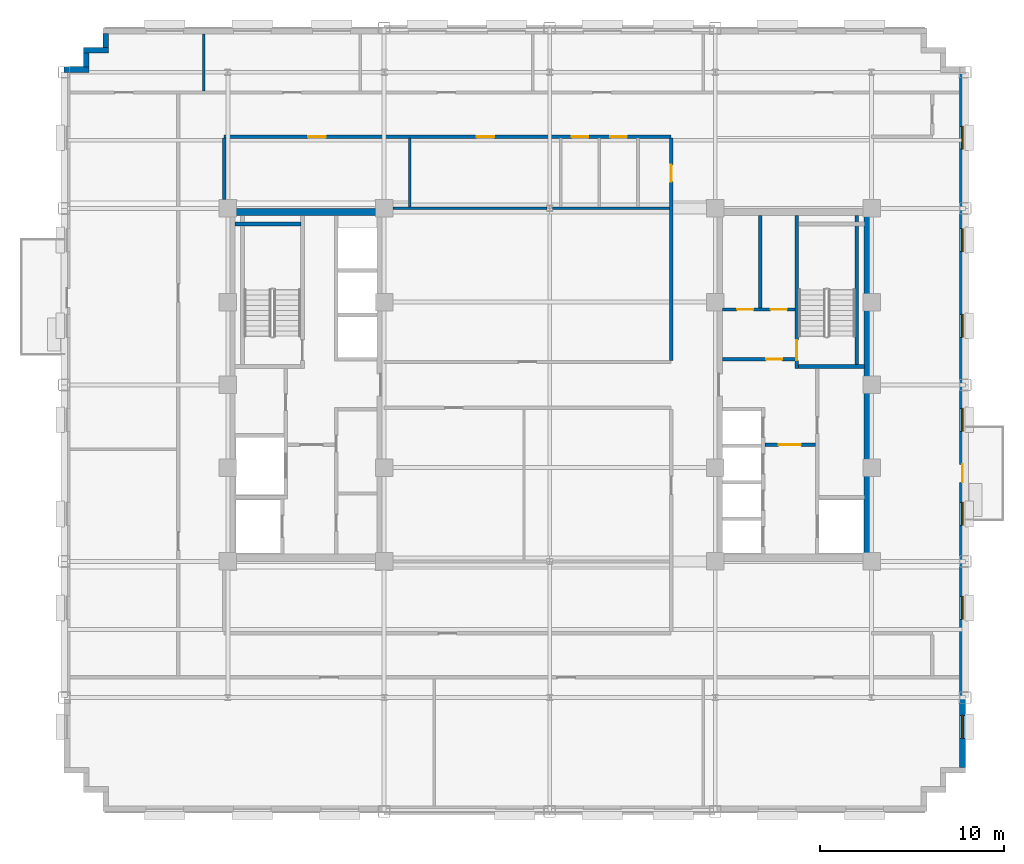
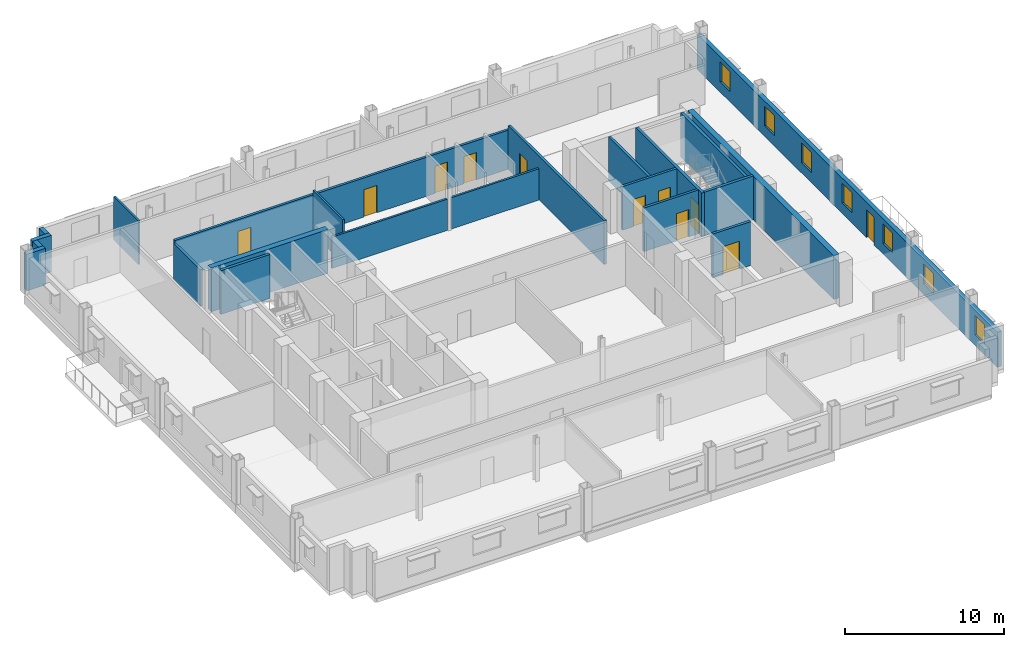
# One storey, part 9 of 14: 22 walls, 11 doors, 7 windows, 18 openings.
"""IFC4 building model written with IfcOpenShell, lengths in metres."""

from ifc_helpers import new_model, si_unit, direction, frame, frame_2d, origin, place, context, subcontext, project, spatial, rectangle, extrude, source, transform, mapped, material, layer, layer_set, type_object, type_shapes, element, fill, save


model = new_model("IFC4")

# Units and contexts
model_context = context("Model", 3, precision=1e-05, world=origin(), true_north=direction((0.0, 1.0)))
body_context = subcontext(model_context, "Body", "Model", "MODEL_VIEW")
ifc_project = project(units=[si_unit("LENGTHUNIT", "METRE"), si_unit("AREAUNIT", "SQUARE_METRE"), si_unit("VOLUMEUNIT", "CUBIC_METRE"), si_unit("PLANEANGLEUNIT", "RADIAN"), si_unit("MASSUNIT", "GRAM", prefix="KILO")], contexts=[model_context])

# Site, building, storey
site_placement = place(None, origin())
site = spatial("IfcSite", under=ifc_project, at=site_placement, CompositionType="ELEMENT")
building_placement = place(site_placement, origin())
building = spatial("IfcBuilding", under=site, at=building_placement, Name="Nuvemarco Arch Tower", CompositionType="ELEMENT")
storey_placement = place(building_placement, frame((0.0, 0.0, 174.949951171875)))
storey = spatial("IfcBuildingStorey", under=building, at=storey_placement, Name="L46", CompositionType="ELEMENT", Elevation=174.949951171875)

# Wall, openings, door, windows
ifc_material_1 = material(Name="Precast concrete C45/55", Category="concrete")
ifc_layer_1 = layer(ifc_material_1, 0.31005859375, Name="EW-UPP-310")
ifc_layer_set_1 = layer_set([ifc_layer_1], Name="Precast concrete C45/55")
wall_type_1 = type_object("IfcWallType", Name="EW-UPP-310", PredefinedType="STANDARD", material=ifc_layer_set_1)
wall_1_placement = place(storey_placement, frame((22.445068359375, -20.7939453125, 0.0), z_axis=(0.0, 0.0, 1.0), x_axis=(0.0, 1.0, 0.0)))
wall_1 = element("IfcWall", 1, at=wall_1_placement, inside=storey, type_object=wall_type_1, Name="L46 exterior precast facade wall 6", PredefinedType="STANDARD", context=body_context, shape_type="SweptSolid", body=[
    extrude(rectangle(XDim=37.787841796875, YDim=0.31005859375, at=frame_2d((18.89404296875, 0.0))), origin(), (0.0, 0.0, 1.0), 2.705078125),
])
opening_1_placement = place(wall_1_placement, frame((16.473876953125, 0.0, 0.0), z_axis=(0.0, 0.0, 1.0), x_axis=(-1.0, 0.0, 0.0)))
opening_1 = element("IfcOpeningElement", 2, at=opening_1_placement, cuts=wall_1, Name="Opening ED-6", PredefinedType="OPENING", context=body_context, shape_type="SweptSolid", body=[
    extrude(rectangle(XDim=0.97998046875, YDim=2.14990234375, at=frame_2d((0.489990234375, 1.074951171875))), frame((0.0, 0.1650390625, 0.0), z_axis=(0.0, -1.0, 0.0), x_axis=(1.0, 0.0, 0.0)), (0.0, 0.0, 1.0), 0.330078125),
])
opening_2_placement = place(wall_1_placement, frame((1.581298828125, 0.0, 0.800048828125)))
opening_2 = element("IfcOpeningElement", 3, at=opening_2_placement, cuts=wall_1, Name="Opening WN-13", PredefinedType="OPENING", context=body_context, shape_type="SweptSolid", body=[
    extrude(rectangle(XDim=1.25, YDim=1.52001953125, at=frame_2d((0.625, 0.760009765625))), frame((0.0, 0.1650390625, 0.0), z_axis=(0.0, -1.0, 0.0), x_axis=(1.0, 0.0, 0.0)), (0.0, 0.0, 1.0), 0.330078125),
])
opening_3_placement = place(wall_1_placement, frame((8.0439453125, 0.0, 0.800048828125)))
opening_3 = element("IfcOpeningElement", 4, at=opening_3_placement, cuts=wall_1, Name="Opening WN-13", PredefinedType="OPENING", context=body_context, shape_type="SweptSolid", body=[
    extrude(rectangle(XDim=1.25, YDim=1.52001953125, at=frame_2d((0.625, 0.760009765625))), frame((0.0, 0.1650390625, 0.0), z_axis=(0.0, -1.0, 0.0), x_axis=(1.0, 0.0, 0.0)), (0.0, 0.0, 1.0), 0.330078125),
])
opening_4_placement = place(wall_1_placement, frame((13.156494140625, 0.0, 0.800048828125)))
opening_4 = element("IfcOpeningElement", 5, at=opening_4_placement, cuts=wall_1, Name="Opening WN-13", PredefinedType="OPENING", context=body_context, shape_type="SweptSolid", body=[
    extrude(rectangle(XDim=1.25, YDim=1.52001953125, at=frame_2d((0.625, 0.760009765625))), frame((0.0, 0.1650390625, 0.0), z_axis=(0.0, -1.0, 0.0), x_axis=(1.0, 0.0, 0.0)), (0.0, 0.0, 1.0), 0.330078125),
])
opening_5_placement = place(wall_1_placement, frame((18.26904296875, 0.0, 0.800048828125)))
opening_5 = element("IfcOpeningElement", 6, at=opening_5_placement, cuts=wall_1, Name="Opening WN-13", PredefinedType="OPENING", context=body_context, shape_type="SweptSolid", body=[
    extrude(rectangle(XDim=1.25, YDim=1.52001953125, at=frame_2d((0.625, 0.760009765625))), frame((0.0, 0.1650390625, 0.0), z_axis=(0.0, -1.0, 0.0), x_axis=(1.0, 0.0, 0.0)), (0.0, 0.0, 1.0), 0.330078125),
])
opening_6_placement = place(wall_1_placement, frame((23.381591796875, 0.0, 0.800048828125)))
opening_6 = element("IfcOpeningElement", 7, at=opening_6_placement, cuts=wall_1, Name="Opening WN-13", PredefinedType="OPENING", context=body_context, shape_type="SweptSolid", body=[
    extrude(rectangle(XDim=1.25, YDim=1.52001953125, at=frame_2d((0.625, 0.760009765625))), frame((0.0, 0.1650390625, 0.0), z_axis=(0.0, -1.0, 0.0), x_axis=(1.0, 0.0, 0.0)), (0.0, 0.0, 1.0), 0.330078125),
])
opening_7_placement = place(wall_1_placement, frame((28.044189453125, 0.0, 0.800048828125)))
opening_7 = element("IfcOpeningElement", 8, at=opening_7_placement, cuts=wall_1, Name="Opening WN-13", PredefinedType="OPENING", context=body_context, shape_type="SweptSolid", body=[
    extrude(rectangle(XDim=1.25, YDim=1.52001953125, at=frame_2d((0.625, 0.760009765625))), frame((0.0, 0.1650390625, 0.0), z_axis=(0.0, -1.0, 0.0), x_axis=(1.0, 0.0, 0.0)), (0.0, 0.0, 1.0), 0.330078125),
])
opening_8_placement = place(wall_1_placement, frame((33.606689453125, 0.0, 0.800048828125)))
opening_8 = element("IfcOpeningElement", 9, at=opening_8_placement, cuts=wall_1, Name="Opening WN-13", PredefinedType="OPENING", context=body_context, shape_type="SweptSolid", body=[
    extrude(rectangle(XDim=1.25, YDim=1.52001953125, at=frame_2d((0.625, 0.760009765625))), frame((0.0, 0.1650390625, 0.0), z_axis=(0.0, -1.0, 0.0), x_axis=(1.0, 0.0, 0.0)), (0.0, 0.0, 1.0), 0.330078125),
])
ifc_material_2 = material(Name="Anodised bronze and laminated glass", Category="glass")
door_type_1 = type_object("IfcDoorType", Name="DR-EXT-BALC", OperationType="NOTDEFINED", PredefinedType="DOOR", material=ifc_material_2)
shared_shape_1 = source(origin(), body_context, "Body", "SweptSolid", [
    extrude(rectangle(XDim=0.97998046875, YDim=2.14990234375, at=frame_2d((0.489990234375, 1.074951171875))), frame((0.0, 0.02490234375, 0.0), z_axis=(0.0, -1.0, 0.0), x_axis=(1.0, 0.0, 0.0)), (0.0, 0.0, 1.0), 0.050048828125),
])
type_shapes(door_type_1, [shared_shape_1])
door_1_placement = place(opening_1_placement, origin())
door_1 = element("IfcDoor", 10, at=door_1_placement, inside=storey, type_object=door_type_1, Name="L46 tree balcony access door", OperationType="SINGLE_SWING_RIGHT", OverallHeight=2.14990234375, OverallWidth=0.97998046875, PredefinedType="DOOR", context=body_context, shape_type="MappedRepresentation", body=[
    mapped(shared_shape_1, transform((0.0, 0.0, 0.0), scale=1.0)),
])
fill(opening_1, door_1)
ifc_material_3 = material(Name="Insulated solar-control glass", Category="glass")
window_type = type_object("IfcWindowType", Name="WN-SET-1250x1520", PartitioningType="SINGLE_PANEL", PredefinedType="WINDOW", material=ifc_material_3)
shared_shape_2 = source(origin(), body_context, "Body", "SweptSolid", [
    extrude(rectangle(XDim=1.25, YDim=1.52001953125, at=frame_2d((0.625, 0.760009765625))), frame((0.0, 0.030029296875, 0.0), z_axis=(0.0, -1.0, 0.0), x_axis=(1.0, 0.0, 0.0)), (0.0, 0.0, 1.0), 0.06005859375),
])
type_shapes(window_type, [shared_shape_2])
window_1_placement = place(opening_2_placement, origin())
window_1 = element("IfcWindow", 11, at=window_1_placement, inside=storey, type_object=window_type, Name="L46 punched facade window 1", OverallHeight=1.52001953125, OverallWidth=1.25, PartitioningType="SINGLE_PANEL", PredefinedType="WINDOW", context=body_context, shape_type="MappedRepresentation", body=[
    mapped(shared_shape_2, transform((0.0, 0.0, 0.0), scale=1.0)),
])
fill(opening_2, window_1)
window_2_placement = place(opening_3_placement, origin())
window_2 = element("IfcWindow", 12, at=window_2_placement, inside=storey, type_object=window_type, Name="L46 punched facade window 2", OverallHeight=1.52001953125, OverallWidth=1.25, PartitioningType="SINGLE_PANEL", PredefinedType="WINDOW", context=body_context, shape_type="MappedRepresentation", body=[
    mapped(shared_shape_2, transform((0.0, 0.0, 0.0), scale=1.0)),
])
fill(opening_3, window_2)
window_3_placement = place(opening_4_placement, origin())
window_3 = element("IfcWindow", 13, at=window_3_placement, inside=storey, type_object=window_type, Name="L46 punched facade window 3", OverallHeight=1.52001953125, OverallWidth=1.25, PartitioningType="SINGLE_PANEL", PredefinedType="WINDOW", context=body_context, shape_type="MappedRepresentation", body=[
    mapped(shared_shape_2, transform((0.0, 0.0, 0.0), scale=1.0)),
])
fill(opening_4, window_3)
window_4_placement = place(opening_5_placement, origin())
window_4 = element("IfcWindow", 14, at=window_4_placement, inside=storey, type_object=window_type, Name="L46 punched facade window 4", OverallHeight=1.52001953125, OverallWidth=1.25, PartitioningType="SINGLE_PANEL", PredefinedType="WINDOW", context=body_context, shape_type="MappedRepresentation", body=[
    mapped(shared_shape_2, transform((0.0, 0.0, 0.0), scale=1.0)),
])
fill(opening_5, window_4)
window_5_placement = place(opening_6_placement, origin())
window_5 = element("IfcWindow", 15, at=window_5_placement, inside=storey, type_object=window_type, Name="L46 punched facade window 5", OverallHeight=1.52001953125, OverallWidth=1.25, PartitioningType="SINGLE_PANEL", PredefinedType="WINDOW", context=body_context, shape_type="MappedRepresentation", body=[
    mapped(shared_shape_2, transform((0.0, 0.0, 0.0), scale=1.0)),
])
fill(opening_6, window_5)
window_6_placement = place(opening_7_placement, origin())
window_6 = element("IfcWindow", 16, at=window_6_placement, inside=storey, type_object=window_type, Name="L46 punched facade window 6", OverallHeight=1.52001953125, OverallWidth=1.25, PartitioningType="SINGLE_PANEL", PredefinedType="WINDOW", context=body_context, shape_type="MappedRepresentation", body=[
    mapped(shared_shape_2, transform((0.0, 0.0, 0.0), scale=1.0)),
])
fill(opening_7, window_6)
window_7_placement = place(opening_8_placement, origin())
window_7 = element("IfcWindow", 17, at=window_7_placement, inside=storey, type_object=window_type, Name="L46 punched facade window 7", OverallHeight=1.52001953125, OverallWidth=1.25, PartitioningType="SINGLE_PANEL", PredefinedType="WINDOW", context=body_context, shape_type="MappedRepresentation", body=[
    mapped(shared_shape_2, transform((0.0, 0.0, 0.0), scale=1.0)),
])
fill(opening_8, window_7)

# Walls
wall_2_placement = place(storey_placement, frame((-24.14501953125, 18.345947265625, 0.0), z_axis=(0.0, 0.0, 1.0), x_axis=(0.0, 1.0, 0.0)))
element("IfcWall", 18, at=wall_2_placement, inside=storey, type_object=wall_type_1, Name="L46 exterior precast facade wall 12", PredefinedType="STANDARD", context=body_context, shape_type="SweptSolid", body=[
    extrude(rectangle(XDim=0.748046875, YDim=0.31005859375, at=frame_2d((0.3740234375, 0.0))), origin(), (0.0, 0.0, 1.0), 2.816162109375),
])
wall_3_placement = place(storey_placement, frame((-25.35009765625, 18.195068359375, 0.0), z_axis=(0.0, 0.0, 1.0), x_axis=(1.0, 0.0, 0.0)))
element("IfcWall", 19, at=wall_3_placement, inside=storey, type_object=wall_type_1, Name="L46 exterior precast facade wall 13", PredefinedType="STANDARD", context=body_context, shape_type="SweptSolid", body=[
    extrude(rectangle(XDim=1.360107421875, YDim=0.31005859375, at=frame_2d((0.68017578125, 0.0))), origin(), (0.0, 0.0, 1.0), 2.816162109375),
])
wall_4_placement = place(storey_placement, frame((-25.195068359375, 17.2958984375, 0.0), z_axis=(0.0, 0.0, 1.0), x_axis=(0.0, 1.0, 0.0)))
element("IfcWall", 20, at=wall_4_placement, inside=storey, type_object=wall_type_1, Name="L46 exterior precast facade wall 14", PredefinedType="STANDARD", context=body_context, shape_type="SweptSolid", body=[
    extrude(rectangle(XDim=0.748046875, YDim=0.31005859375, at=frame_2d((0.3740234375, 0.0))), origin(), (0.0, 0.0, 1.0), 2.816162109375),
])
wall_5_placement = place(storey_placement, frame((-26.39990234375, 17.14501953125, 0.0), z_axis=(0.0, 0.0, 1.0), x_axis=(1.0, 0.0, 0.0)))
element("IfcWall", 21, at=wall_5_placement, inside=storey, type_object=wall_type_1, Name="L46 exterior precast facade wall 15", PredefinedType="STANDARD", context=body_context, shape_type="SweptSolid", body=[
    extrude(rectangle(XDim=1.35986328125, YDim=0.31005859375, at=frame_2d((0.679931640625, 0.0))), origin(), (0.0, 0.0, 1.0), 2.816162109375),
])
ifc_material_4 = material(Name="Concrete C60/75", Category="concrete")
ifc_layer_2 = layer(ifc_material_4, 0.39990234375, Name="WL-CORE-400")
ifc_layer_set_2 = layer_set([ifc_layer_2], Name="Concrete C60/75")
wall_type_2 = type_object("IfcWallType", Name="WL-CORE-400", PredefinedType="SHEAR", material=ifc_layer_set_2)
wall_6_placement = place(storey_placement, frame((-17.5, 9.39990234375, 0.0), z_axis=(0.0, 0.0, 1.0), x_axis=(1.0, 0.0, 0.0)))
element("IfcWall", 22, at=wall_6_placement, inside=storey, type_object=wall_type_2, Name="L46 W-core shear wall N", PredefinedType="SHEAR", context=body_context, shape_type="SweptSolid", body=[
    extrude(rectangle(XDim=8.5, YDim=0.39990234375, at=frame_2d((4.25, 0.0))), origin(), (0.0, 0.0, 1.0), 3.3701171875),
])
wall_7_placement = place(storey_placement, frame((17.300048828125, -9.205078125, 0.0), z_axis=(0.0, 0.0, 1.0), x_axis=(0.0, 1.0, 0.0)))
element("IfcWall", 23, at=wall_7_placement, inside=storey, type_object=wall_type_2, Name="L46 E-core shear wall E", PredefinedType="SHEAR", context=body_context, shape_type="SweptSolid", body=[
    extrude(rectangle(XDim=18.41015625, YDim=0.39990234375, at=frame_2d((9.205078125, 0.0))), origin(), (0.0, 0.0, 1.0), 3.3701171875),
])

# Wall, opening, door
ifc_material_5 = material(Name="Fire-rated gypsum drywall partition")
ifc_layer_3 = layer(ifc_material_5, 0.179931640625, Name="WL-CORR-180")
ifc_layer_set_3 = layer_set([ifc_layer_3], Name="Fire-rated gypsum drywall partition")
wall_type_3 = type_object("IfcWallType", Name="WL-CORR-180", PredefinedType="PARTITIONING", material=ifc_layer_set_3)
wall_8_placement = place(storey_placement, frame((9.39501953125, 1.39990234375, 0.0), z_axis=(0.0, 0.0, 1.0), x_axis=(1.0, 0.0, 0.0)))
wall_8 = element("IfcWall", 24, at=wall_8_placement, inside=storey, type_object=wall_type_3, Name="L46 interior wall IW-L46-EK-S", PredefinedType="PARTITIONING", context=body_context, shape_type="SweptSolid", body=[
    extrude(rectangle(XDim=3.949951171875, YDim=0.179931640625, at=frame_2d((1.97509765625, 0.0))), origin(), (0.0, 0.0, 1.0), 3.360107421875),
])
opening_9_placement = place(wall_8_placement, frame((2.364990234375, 0.0, 0.0)))
opening_9 = element("IfcOpeningElement", 25, at=opening_9_placement, cuts=wall_8, Name="Opening FD-4", PredefinedType="OPENING", context=body_context, shape_type="SweptSolid", body=[
    extrude(rectangle(XDim=0.8798828125, YDim=2.10009765625, at=frame_2d((0.43994140625, 1.050048828125))), frame((0.0, 0.099853515625, 0.0), z_axis=(0.0, -1.0, 0.0), x_axis=(1.0, 0.0, 0.0)), (0.0, 0.0, 1.0), 0.199951171875),
])
ifc_material_6 = material(Name="Anodised steel fire door", Category="steel")
door_type_2 = type_object("IfcDoorType", Name="DR-RISER-FD", OperationType="NOTDEFINED", PredefinedType="DOOR", material=ifc_material_6)
shared_shape_3 = source(origin(), body_context, "Body", "SweptSolid", [
    extrude(rectangle(XDim=0.8798828125, YDim=2.10009765625, at=frame_2d((0.43994140625, 1.050048828125))), frame((0.0, 0.02490234375, 0.0), z_axis=(0.0, -1.0, 0.0), x_axis=(1.0, 0.0, 0.0)), (0.0, 0.0, 1.0), 0.050048828125),
])
type_shapes(door_type_2, [shared_shape_3])
door_2_placement = place(opening_9_placement, origin())
door_2 = element("IfcDoor", 26, at=door_2_placement, inside=storey, type_object=door_type_2, Name="L46 door FD-L46-EK3A", OperationType="SINGLE_SWING_RIGHT", OverallHeight=2.10009765625, OverallWidth=0.8798828125, PredefinedType="DOOR", context=body_context, shape_type="MappedRepresentation", body=[
    mapped(shared_shape_3, transform((0.0, 0.0, 0.0), scale=1.0)),
])
fill(opening_9, door_2)

# Wall, openings, doors
wall_9_placement = place(storey_placement, frame((9.39501953125, 4.10009765625, 0.0), z_axis=(0.0, 0.0, 1.0), x_axis=(1.0, 0.0, 0.0)))
wall_9 = element("IfcWall", 27, at=wall_9_placement, inside=storey, type_object=wall_type_3, Name="L46 interior wall IW-L46-EK3H", PredefinedType="PARTITIONING", context=body_context, shape_type="SweptSolid", body=[
    extrude(rectangle(XDim=3.949951171875, YDim=0.179931640625, at=frame_2d((1.97509765625, 0.0))), origin(), (0.0, 0.0, 1.0), 3.360107421875),
])
opening_10_placement = place(wall_9_placement, frame((0.800048828125, 0.0, 0.0)))
opening_10 = element("IfcOpeningElement", 28, at=opening_10_placement, cuts=wall_9, Name="Opening FD-4", PredefinedType="OPENING", context=body_context, shape_type="SweptSolid", body=[
    extrude(rectangle(XDim=0.8798828125, YDim=2.10009765625, at=frame_2d((0.43994140625, 1.050048828125))), frame((0.0, 0.099853515625, 0.0), z_axis=(0.0, -1.0, 0.0), x_axis=(1.0, 0.0, 0.0)), (0.0, 0.0, 1.0), 0.199951171875),
])
opening_11_placement = place(wall_9_placement, frame((2.614990234375, 0.0, 0.0)))
opening_11 = element("IfcOpeningElement", 29, at=opening_11_placement, cuts=wall_9, Name="Opening FD-4", PredefinedType="OPENING", context=body_context, shape_type="SweptSolid", body=[
    extrude(rectangle(XDim=0.8798828125, YDim=2.10009765625, at=frame_2d((0.43994140625, 1.050048828125))), frame((0.0, 0.099853515625, 0.0), z_axis=(0.0, -1.0, 0.0), x_axis=(1.0, 0.0, 0.0)), (0.0, 0.0, 1.0), 0.199951171875),
])
door_3_placement = place(opening_10_placement, origin())
door_3 = element("IfcDoor", 30, at=door_3_placement, inside=storey, type_object=door_type_2, Name="L46 door FD-L46-EK3B", OperationType="SINGLE_SWING_LEFT", OverallHeight=2.10009765625, OverallWidth=0.8798828125, PredefinedType="DOOR", context=body_context, shape_type="MappedRepresentation", body=[
    mapped(shared_shape_3, transform((0.0, 0.0, 0.0), scale=1.0)),
])
fill(opening_10, door_3)
door_4_placement = place(opening_11_placement, origin())
door_4 = element("IfcDoor", 31, at=door_4_placement, inside=storey, type_object=door_type_2, Name="L46 door FD-L46-EK3C", OperationType="SINGLE_SWING_RIGHT", OverallHeight=2.10009765625, OverallWidth=0.8798828125, PredefinedType="DOOR", context=body_context, shape_type="MappedRepresentation", body=[
    mapped(shared_shape_3, transform((0.0, 0.0, 0.0), scale=1.0)),
])
fill(opening_11, door_4)

# Wall
wall_10_placement = place(storey_placement, frame((11.449951171875, 4.18994140625, 0.0), z_axis=(0.0, 0.0, 1.0), x_axis=(0.0, 1.0, 0.0)))
element("IfcWall", 32, at=wall_10_placement, inside=storey, type_object=wall_type_3, Name="L46 interior wall IW-L46-EK3V", PredefinedType="PARTITIONING", context=body_context, shape_type="SweptSolid", body=[
    extrude(rectangle(XDim=5.01513671875, YDim=0.179931640625, at=frame_2d((2.507568359375, 0.0))), origin(), (0.0, 0.0, 1.0), 3.360107421875),
])

# Wall, openings, doors
wall_11_placement = place(storey_placement, frame((-17.699951171875, 13.5, 0.0), z_axis=(0.0, 0.0, 1.0), x_axis=(1.0, 0.0, 0.0)))
wall_11 = element("IfcWall", 33, at=wall_11_placement, inside=storey, type_object=wall_type_3, Name="L46 interior wall IW-L46-011", PredefinedType="PARTITIONING", context=body_context, shape_type="SweptSolid", body=[
    extrude(rectangle(XDim=24.300048828125, YDim=0.179931640625, at=frame_2d((12.14990234375, 0.0))), origin(), (0.0, 0.0, 1.0), 3.008056640625),
])
opening_12_placement = place(wall_11_placement, frame((4.570068359375, 0.0, 0.0)))
opening_12 = element("IfcOpeningElement", 34, at=opening_12_placement, cuts=wall_11, Name="Opening FD-5", PredefinedType="OPENING", context=body_context, shape_type="SweptSolid", body=[
    extrude(rectangle(XDim=0.9599609375, YDim=2.10009765625, at=frame_2d((0.47998046875, 1.050048828125))), frame((0.0, 0.099853515625, 0.0), z_axis=(0.0, -1.0, 0.0), x_axis=(1.0, 0.0, 0.0)), (0.0, 0.0, 1.0), 0.199951171875),
])
opening_13_placement = place(wall_11_placement, frame((13.719970703125, 0.0, 0.0)))
opening_13 = element("IfcOpeningElement", 35, at=opening_13_placement, cuts=wall_11, Name="Opening FD-5", PredefinedType="OPENING", context=body_context, shape_type="SweptSolid", body=[
    extrude(rectangle(XDim=0.9599609375, YDim=2.10009765625, at=frame_2d((0.47998046875, 1.050048828125))), frame((0.0, 0.099853515625, 0.0), z_axis=(0.0, -1.0, 0.0), x_axis=(1.0, 0.0, 0.0)), (0.0, 0.0, 1.0), 0.199951171875),
])
opening_14_placement = place(wall_11_placement, frame((18.89990234375, 0.0, 0.0)))
opening_14 = element("IfcOpeningElement", 36, at=opening_14_placement, cuts=wall_11, Name="Opening ID-3", PredefinedType="OPENING", context=body_context, shape_type="SweptSolid", body=[
    extrude(rectangle(XDim=0.89990234375, YDim=2.10009765625, at=frame_2d((0.449951171875, 1.050048828125))), frame((0.0, 0.099853515625, 0.0), z_axis=(0.0, -1.0, 0.0), x_axis=(1.0, 0.0, 0.0)), (0.0, 0.0, 1.0), 0.199951171875),
])
opening_15_placement = place(wall_11_placement, frame((21.0, 0.0, 0.0)))
opening_15 = element("IfcOpeningElement", 37, at=opening_15_placement, cuts=wall_11, Name="Opening ID-3", PredefinedType="OPENING", context=body_context, shape_type="SweptSolid", body=[
    extrude(rectangle(XDim=0.89990234375, YDim=2.10009765625, at=frame_2d((0.449951171875, 1.050048828125))), frame((0.0, 0.099853515625, 0.0), z_axis=(0.0, -1.0, 0.0), x_axis=(1.0, 0.0, 0.0)), (0.0, 0.0, 1.0), 0.199951171875),
])
ifc_material_7 = material(Name="Timber fire door", Category="wood")
door_type_3 = type_object("IfcDoorType", Name="DR-CORR-FD", OperationType="NOTDEFINED", PredefinedType="DOOR", material=ifc_material_7)
shared_shape_4 = source(origin(), body_context, "Body", "SweptSolid", [
    extrude(rectangle(XDim=0.9599609375, YDim=2.10009765625, at=frame_2d((0.47998046875, 1.050048828125))), frame((0.0, 0.02490234375, 0.0), z_axis=(0.0, -1.0, 0.0), x_axis=(1.0, 0.0, 0.0)), (0.0, 0.0, 1.0), 0.050048828125),
])
type_shapes(door_type_3, [shared_shape_4])
door_5_placement = place(opening_12_placement, origin())
door_5 = element("IfcDoor", 38, at=door_5_placement, inside=storey, type_object=door_type_3, Name="L46 door DR-L46-IN_N1", OperationType="SINGLE_SWING_RIGHT", OverallHeight=2.10009765625, OverallWidth=0.9599609375, PredefinedType="DOOR", context=body_context, shape_type="MappedRepresentation", body=[
    mapped(shared_shape_4, transform((0.0, 0.0, 0.0), scale=1.0)),
])
fill(opening_12, door_5)
door_6_placement = place(opening_13_placement, origin())
door_6 = element("IfcDoor", 39, at=door_6_placement, inside=storey, type_object=door_type_3, Name="L46 door DR-L46-IN_N2", OperationType="SINGLE_SWING_RIGHT", OverallHeight=2.10009765625, OverallWidth=0.9599609375, PredefinedType="DOOR", context=body_context, shape_type="MappedRepresentation", body=[
    mapped(shared_shape_4, transform((0.0, 0.0, 0.0), scale=1.0)),
])
fill(opening_13, door_6)
ifc_material_8 = material(Name="Veneered oak timber fire door", Category="wood")
door_type_4 = type_object("IfcDoorType", Name="DR-WC-ACC", OperationType="NOTDEFINED", PredefinedType="DOOR", material=ifc_material_8)
shared_shape_5 = source(origin(), body_context, "Body", "SweptSolid", [
    extrude(rectangle(XDim=0.89990234375, YDim=2.10009765625, at=frame_2d((0.449951171875, 1.050048828125))), frame((0.0, 0.02490234375, 0.0), z_axis=(0.0, -1.0, 0.0), x_axis=(1.0, 0.0, 0.0)), (0.0, 0.0, 1.0), 0.050048828125),
])
type_shapes(door_type_4, [shared_shape_5])
door_7_placement = place(opening_14_placement, origin())
door_7 = element("IfcDoor", 40, at=door_7_placement, inside=storey, type_object=door_type_4, Name="L46 door DR-L46-WC_M", OperationType="SINGLE_SWING_RIGHT", OverallHeight=2.10009765625, OverallWidth=0.89990234375, PredefinedType="DOOR", context=body_context, shape_type="MappedRepresentation", body=[
    mapped(shared_shape_5, transform((0.0, 0.0, 0.0), scale=1.0)),
])
fill(opening_14, door_7)
door_8_placement = place(opening_15_placement, origin())
door_8 = element("IfcDoor", 41, at=door_8_placement, inside=storey, type_object=door_type_4, Name="L46 door DR-L46-WC_F", OperationType="SINGLE_SWING_LEFT", OverallHeight=2.10009765625, OverallWidth=0.89990234375, PredefinedType="DOOR", context=body_context, shape_type="MappedRepresentation", body=[
    mapped(shared_shape_5, transform((0.0, 0.0, 0.0), scale=1.0)),
])
fill(opening_15, door_8)

# Wall
wall_12_placement = place(storey_placement, frame((-17.699951171875, 10.071044921875, 0.0), z_axis=(0.0, 0.0, 1.0), x_axis=(0.0, 1.0, 0.0)))
element("IfcWall", 42, at=wall_12_placement, inside=storey, type_object=wall_type_3, Name="L46 interior wall IW-L46-017", PredefinedType="PARTITIONING", context=body_context, shape_type="SweptSolid", body=[
    extrude(rectangle(XDim=3.343017578125, YDim=0.179931640625, at=frame_2d((1.67138671875, 0.0))), origin(), (0.0, 0.0, 1.0), 2.816162109375),
])

# Wall, opening, door
wall_13_placement = place(storey_placement, frame((6.60009765625, 1.3359375, 0.0), z_axis=(0.0, 0.0, 1.0), x_axis=(0.0, 1.0, 0.0)))
wall_13 = element("IfcWall", 43, at=wall_13_placement, inside=storey, type_object=wall_type_3, Name="L46 interior wall IW-L46-027", PredefinedType="PARTITIONING", context=body_context, shape_type="SweptSolid", body=[
    extrude(rectangle(XDim=12.078125, YDim=0.179931640625, at=frame_2d((6.0390625, 0.0))), origin(), (0.0, 0.0, 1.0), 3.360107421875),
])
opening_16_placement = place(wall_13_placement, frame((9.720947265625, 0.0, 0.0)))
opening_16 = element("IfcOpeningElement", 44, at=opening_16_placement, cuts=wall_13, Name="Opening ID-3", PredefinedType="OPENING", context=body_context, shape_type="SweptSolid", body=[
    extrude(rectangle(XDim=0.89990234375, YDim=2.10009765625, at=frame_2d((0.449951171875, 1.050048828125))), frame((0.0, 0.099853515625, 0.0), z_axis=(0.0, -1.0, 0.0), x_axis=(1.0, 0.0, 0.0)), (0.0, 0.0, 1.0), 0.199951171875),
])
door_9_placement = place(opening_16_placement, origin())
door_9 = element("IfcDoor", 45, at=door_9_placement, inside=storey, type_object=door_type_4, Name="L46 door DR-L46-WC_ACC", OperationType="SINGLE_SWING_RIGHT", OverallHeight=2.10009765625, OverallWidth=0.89990234375, PredefinedType="DOOR", context=body_context, shape_type="MappedRepresentation", body=[
    mapped(shared_shape_5, transform((0.0, 0.0, 0.0), scale=1.0)),
])
fill(opening_16, door_9)

# Walls
ifc_material_9 = material(Name="Glazed acoustic office partition")
ifc_layer_4 = layer(ifc_material_9, 0.1298828125, Name="WL-EXEC-130")
ifc_layer_set_4 = layer_set([ifc_layer_4], Name="Glazed acoustic office partition")
wall_type_4 = type_object("IfcWallType", Name="WL-EXEC-130", PredefinedType="PARTITIONING", material=ifc_layer_set_4)
wall_14_placement = place(storey_placement, frame((-18.800048828125, 15.986083984375, 0.0), z_axis=(0.0, 0.0, 1.0), x_axis=(0.0, 1.0, 0.0)))
element("IfcWall", 46, at=wall_14_placement, inside=storey, type_object=wall_type_4, Name="L46 interior wall IW-L46-015", PredefinedType="PARTITIONING", context=body_context, shape_type="SweptSolid", body=[
    extrude(rectangle(XDim=3.10400390625, YDim=0.1298828125, at=frame_2d((1.552001953125, 0.0))), origin(), (0.0, 0.0, 1.0), 3.360107421875),
])
ifc_material_10 = material(Name="Gypsum plasterboard partition")
ifc_layer_5 = layer(ifc_material_10, 0.139892578125, Name="WL-ROOM-140")
ifc_layer_set_5 = layer_set([ifc_layer_5], Name="Gypsum plasterboard partition")
wall_type_5 = type_object("IfcWallType", Name="WL-ROOM-140", PredefinedType="PARTITIONING", material=ifc_layer_set_5)
wall_15_placement = place(storey_placement, frame((-7.60009765625, 9.6708984375, 0.0), z_axis=(0.0, 0.0, 1.0), x_axis=(0.0, 1.0, 0.0)))
element("IfcWall", 47, at=wall_15_placement, inside=storey, type_object=wall_type_5, Name="L46 interior wall IW-L46-019", PredefinedType="PARTITIONING", context=body_context, shape_type="SweptSolid", body=[
    extrude(rectangle(XDim=3.7431640625, YDim=0.139892578125, at=frame_2d((1.87158203125, 0.0))), origin(), (0.0, 0.0, 1.0), 3.360107421875),
])
ifc_material_11 = material(Name="Concrete C50/60", Category="concrete")
ifc_layer_6 = layer(ifc_material_11, 0.199951171875, Name="WL-SHAFT-220")
ifc_layer_set_6 = layer_set([ifc_layer_6], Name="Concrete C50/60")
wall_type_6 = type_object("IfcWallType", Name="WL-SHAFT-220", PredefinedType="SHEAR", material=ifc_layer_set_6)
wall_16_placement = place(storey_placement, frame((-17.10498046875, 8.75, 0.0), z_axis=(0.0, 0.0, 1.0), x_axis=(1.0, 0.0, 0.0)))
element("IfcWall", 48, at=wall_16_placement, inside=storey, type_object=wall_type_6, Name="L46 structural shaft wall SW-L46-W-ST1N", PredefinedType="SHEAR", context=body_context, shape_type="SweptSolid", body=[
    extrude(rectangle(XDim=3.570068359375, YDim=0.199951171875, at=frame_2d((1.78515625, 0.0))), origin(), (0.0, 0.0, 1.0), 3.3701171875),
])

# Wall, opening, door
wall_17_placement = place(storey_placement, frame((13.43994140625, 0.89990234375, 0.0), z_axis=(0.0, 0.0, 1.0), x_axis=(0.0, 1.0, 0.0)))
wall_17 = element("IfcWall", 49, at=wall_17_placement, inside=storey, type_object=wall_type_6, Name="L46 structural shaft wall SW-L46-E-ST2W", PredefinedType="SHEAR", context=body_context, shape_type="SweptSolid", body=[
    extrude(rectangle(XDim=8.30517578125, YDim=0.199951171875, at=frame_2d((4.152587890625, 0.0))), origin(), (0.0, 0.0, 1.0), 3.3701171875),
])
opening_17_placement = place(wall_17_placement, frame((0.429931640625, 0.0, 0.0)))
opening_17 = element("IfcOpeningElement", 50, at=opening_17_placement, cuts=wall_17, Name="Opening FD-1", PredefinedType="OPENING", context=body_context, shape_type="SweptSolid", body=[
    extrude(rectangle(XDim=1.10009765625, YDim=2.14990234375, at=frame_2d((0.550048828125, 1.074951171875))), frame((0.0, 0.10986328125, 0.0), z_axis=(0.0, -1.0, 0.0), x_axis=(1.0, 0.0, 0.0)), (0.0, 0.0, 1.0), 0.219970703125),
])
door_type_5 = type_object("IfcDoorType", Name="DR-STAIR-FD", OperationType="NOTDEFINED", PredefinedType="DOOR", material=ifc_material_6)
shared_shape_6 = source(origin(), body_context, "Body", "SweptSolid", [
    extrude(rectangle(XDim=1.10009765625, YDim=2.14990234375, at=frame_2d((0.550048828125, 1.074951171875))), frame((0.0, 0.02490234375, 0.0), z_axis=(0.0, -1.0, 0.0), x_axis=(1.0, 0.0, 0.0)), (0.0, 0.0, 1.0), 0.050048828125),
])
type_shapes(door_type_5, [shared_shape_6])
door_10_placement = place(opening_17_placement, origin())
door_10 = element("IfcDoor", 51, at=door_10_placement, inside=storey, type_object=door_type_5, Name="L46 door FD-L46-ST2", OperationType="SINGLE_SWING_LEFT", OverallHeight=2.14990234375, OverallWidth=1.10009765625, PredefinedType="DOOR", context=body_context, shape_type="MappedRepresentation", body=[
    mapped(shared_shape_6, transform((0.0, 0.0, 0.0), scale=1.0)),
])
fill(opening_17, door_10)

# Walls
wall_18_placement = place(storey_placement, frame((13.534912109375, 1.0, 0.0), z_axis=(0.0, 0.0, 1.0), x_axis=(1.0, 0.0, 0.0)))
element("IfcWall", 52, at=wall_18_placement, inside=storey, type_object=wall_type_6, Name="L46 structural shaft wall SW-L46-E-ST2S", PredefinedType="SHEAR", context=body_context, shape_type="SweptSolid", body=[
    extrude(rectangle(XDim=3.570068359375, YDim=0.199951171875, at=frame_2d((1.78515625, 0.0))), origin(), (0.0, 0.0, 1.0), 3.3701171875),
])
wall_19_placement = place(storey_placement, frame((16.699951171875, 1.094970703125, 0.0), z_axis=(0.0, 0.0, 1.0), x_axis=(0.0, 1.0, 0.0)))
element("IfcWall", 53, at=wall_19_placement, inside=storey, type_object=wall_type_6, Name="L46 structural shaft wall SW-L46-E-ST2E", PredefinedType="SHEAR", context=body_context, shape_type="SweptSolid", body=[
    extrude(rectangle(XDim=8.110107421875, YDim=0.199951171875, at=frame_2d((4.05517578125, 0.0))), origin(), (0.0, 0.0, 1.0), 3.3701171875),
])

# Wall, opening, door
wall_20_placement = place(storey_placement, frame((11.695068359375, -3.25, 0.0), z_axis=(0.0, 0.0, 1.0), x_axis=(1.0, 0.0, 0.0)))
wall_20 = element("IfcWall", 54, at=wall_20_placement, inside=storey, type_object=wall_type_6, Name="L46 structural shaft wall SW-L46-E-FFN", PredefinedType="SHEAR", context=body_context, shape_type="SweptSolid", body=[
    extrude(rectangle(XDim=2.760009765625, YDim=0.199951171875, at=frame_2d((1.3798828125, 0.0))), origin(), (0.0, 0.0, 1.0), 3.3701171875),
])
opening_18_placement = place(wall_20_placement, frame((0.7548828125, 0.0, 0.0)))
opening_18 = element("IfcOpeningElement", 55, at=opening_18_placement, cuts=wall_20, Name="Opening FD-2", PredefinedType="OPENING", context=body_context, shape_type="SweptSolid", body=[
    extrude(rectangle(XDim=1.199951171875, YDim=2.14990234375, at=frame_2d((0.60009765625, 1.074951171875))), frame((0.0, 0.10986328125, 0.0), z_axis=(0.0, -1.0, 0.0), x_axis=(1.0, 0.0, 0.0)), (0.0, 0.0, 1.0), 0.219970703125),
])
door_type_6 = type_object("IfcDoorType", Name="DR-FFLOB-FD", OperationType="NOTDEFINED", PredefinedType="DOOR", material=ifc_material_6)
shared_shape_7 = source(origin(), body_context, "Body", "SweptSolid", [
    extrude(rectangle(XDim=1.199951171875, YDim=2.14990234375, at=frame_2d((0.60009765625, 1.074951171875))), frame((0.0, 0.02490234375, 0.0), z_axis=(0.0, -1.0, 0.0), x_axis=(1.0, 0.0, 0.0)), (0.0, 0.0, 1.0), 0.050048828125),
])
type_shapes(door_type_6, [shared_shape_7])
door_11_placement = place(opening_18_placement, origin())
door_11 = element("IfcDoor", 56, at=door_11_placement, inside=storey, type_object=door_type_6, Name="L46 door FD-L46-EFF2", OperationType="SINGLE_SWING_LEFT", OverallHeight=2.14990234375, OverallWidth=1.199951171875, PredefinedType="DOOR", context=body_context, shape_type="MappedRepresentation", body=[
    mapped(shared_shape_7, transform((0.0, 0.0, 0.0), scale=1.0)),
])
fill(opening_18, door_11)

# Walls
ifc_material_12 = material(Name="Moisture-resistant gypsum partition")
ifc_layer_7 = layer(ifc_material_12, 0.14990234375, Name="WL-WET-150")
ifc_layer_set_7 = layer_set([ifc_layer_7], Name="Moisture-resistant gypsum partition")
wall_type_7 = type_object("IfcWallType", Name="WL-WET-150", PredefinedType="PARTITIONING", material=ifc_layer_set_7)
wall_21_placement = place(storey_placement, frame((-8.529052734375, 9.60009765625, 0.0), z_axis=(0.0, 0.0, 1.0), x_axis=(1.0, 0.0, 0.0)))
element("IfcWall", 57, at=wall_21_placement, inside=storey, type_object=wall_type_7, Name="L46 interior wall IW-L46-009", PredefinedType="PARTITIONING", context=body_context, shape_type="SweptSolid", body=[
    extrude(rectangle(XDim=8.378173828125, YDim=0.14990234375, at=frame_2d((4.18896484375, 0.0))), origin(), (0.0, 0.0, 1.0), 2.405029296875),
])
wall_22_placement = place(storey_placement, frame((0.15087890625, 9.60009765625, 0.0), z_axis=(0.0, 0.0, 1.0), x_axis=(1.0, 0.0, 0.0)))
element("IfcWall", 58, at=wall_22_placement, inside=storey, type_object=wall_type_7, Name="L46 interior wall IW-L46-010", PredefinedType="PARTITIONING", context=body_context, shape_type="SweptSolid", body=[
    extrude(rectangle(XDim=6.363037109375, YDim=0.14990234375, at=frame_2d((3.181640625, 0.0))), origin(), (0.0, 0.0, 1.0), 2.405029296875),
])

save(model, "model.ifc")
